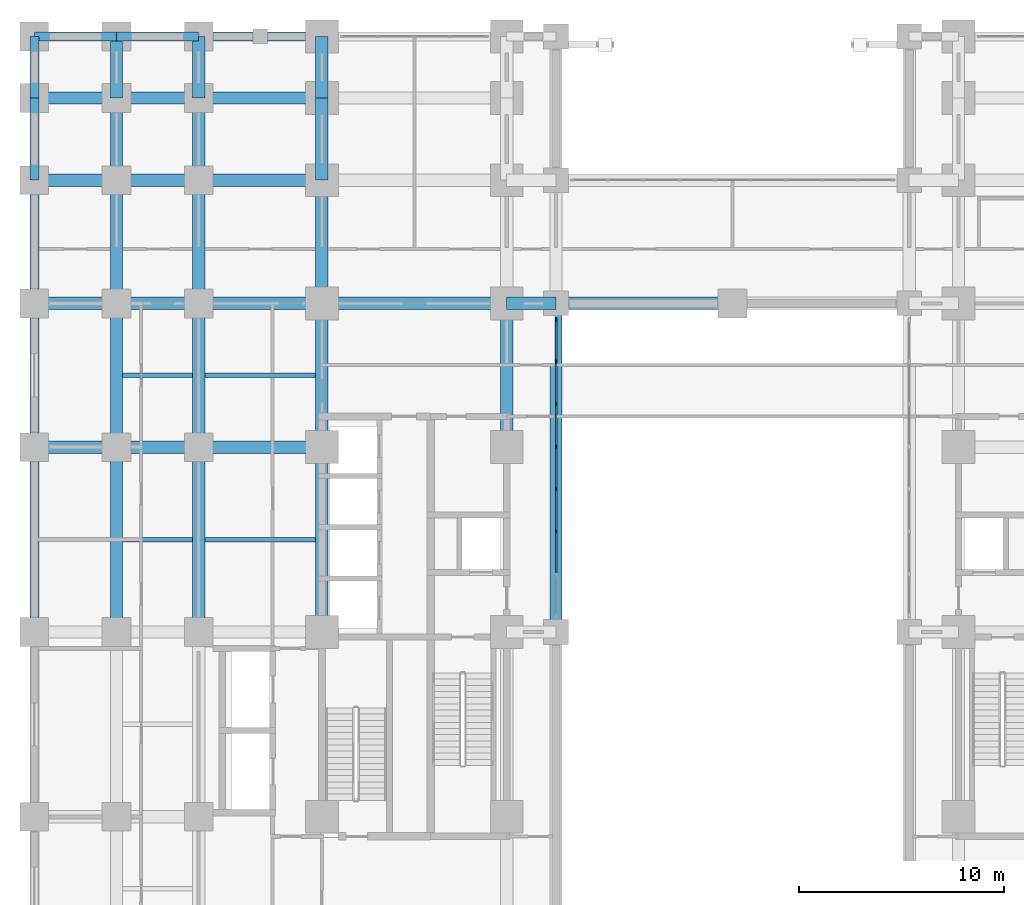
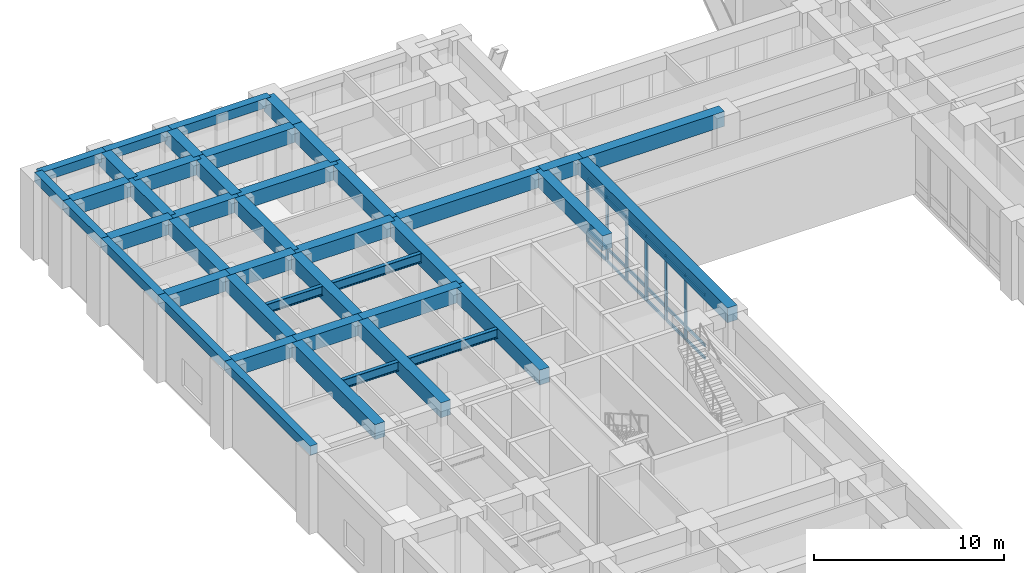
# One storey, part 4 of 23: 44 beams, 24 members, 1 element without a shape of its own.
"""IFC4 building model written with IfcOpenShell, lengths in metres."""

from ifc_helpers import new_model, si_unit, direction, frame, origin, origin_2d, place, context, subcontext, project, spatial, rectangle, i_section, extrude, material, material_profile, profile_set, type_object, element, aggregate, save


model = new_model("IFC4")

# Units and contexts
model_context = context("Model", 3, precision=1e-05, world=origin(), true_north=direction((0.0, 1.0)))
body_context = subcontext(model_context, "Body", "Model", "MODEL_VIEW")
ifc_project = project(units=[si_unit("LENGTHUNIT", "METRE"), si_unit("AREAUNIT", "SQUARE_METRE"), si_unit("VOLUMEUNIT", "CUBIC_METRE"), si_unit("PLANEANGLEUNIT", "RADIAN"), si_unit("MASSUNIT", "GRAM", prefix="KILO")], contexts=[model_context])

# Site, building, storey
site_placement = place(None, origin())
site = spatial("IfcSite", under=ifc_project, at=site_placement, CompositionType="ELEMENT")
building_placement = place(site_placement, origin())
building = spatial("IfcBuilding", under=site, at=building_placement, Name="Zulmaris Gate Convention Tower", CompositionType="ELEMENT")
storey_placement = place(building_placement, frame((0.0, 0.0, 10.8798828125)))
storey = spatial("IfcBuildingStorey", under=building, at=storey_placement, Name="L02", CompositionType="ELEMENT", Elevation=10.8798828125)

# Beams
ifc_material_1 = material(Name="Concrete C60/75", Category="concrete")
ifc_material_profile_1 = material_profile(ifc_material_1, rectangle(XDim=0.60009765625, YDim=0.949951171875, at=origin_2d()), Name="RC BEAM 600x950")
ifc_profile_set_1 = profile_set([ifc_material_profile_1], Name="Concrete C60/75")
beam_type_1 = type_object("IfcBeamType", Name="BM-RC600x950", PredefinedType="BEAM", material=ifc_profile_set_1)
for number, where, z_axis, x_axis, name in (
    (1, (-34.0, 9.0, 4.615234375), (1.0, 0.0, 0.0), (0.0, 1.0, 0.0), "L02 Beam BM-L02-X-+9.0--34.0"),
    (2, (-30.0, 9.0, 4.615234375), (1.0, 0.0, 0.0), (0.0, 1.0, 0.0), "L02 Beam BM-L02-X-+9.0--30.0"),
):
    element("IfcBeam", number, at=place(storey_placement, frame(where, z_axis=z_axis, x_axis=x_axis)), inside=storey, type_object=beam_type_1, Name=name, PredefinedType="BEAM", context=body_context, shape_type="SweptSolid", body=[
        extrude(rectangle(XDim=0.60009765625, YDim=0.949951171875, at=origin_2d()), origin(), (0.0, 0.0, 1.0), 4.0),
    ])
beam_1_placement = place(storey_placement, frame((-26.0, 9.0, 4.615234375), z_axis=(1.0, 0.0, 0.0), x_axis=(0.0, 1.0, 0.0)))
element("IfcBeam", 3, at=beam_1_placement, inside=storey, type_object=beam_type_1, Name="L02 Beam BM-L02-X-+9.0--26.0", PredefinedType="BEAM", context=body_context, shape_type="SweptSolid", body=[
    extrude(rectangle(XDim=0.60009765625, YDim=0.949951171875, at=origin_2d()), origin(), (0.0, 0.0, 1.0), 6.0),
])
for number, where, z_axis, x_axis, name in (
    (4, (-34.0, 16.0, 4.615234375), (1.0, 0.0, 0.0), (0.0, 1.0, 0.0), "L02 Beam BM-L02-X-+16.0--34.0"),
    (5, (-30.0, 16.0, 4.615234375), (1.0, 0.0, 0.0), (0.0, 1.0, 0.0), "L02 Beam BM-L02-X-+16.0--30.0"),
):
    element("IfcBeam", number, at=place(storey_placement, frame(where, z_axis=z_axis, x_axis=x_axis)), inside=storey, type_object=beam_type_1, Name=name, PredefinedType="BEAM", context=body_context, shape_type="SweptSolid", body=[
        extrude(rectangle(XDim=0.60009765625, YDim=0.949951171875, at=origin_2d()), origin(), (0.0, 0.0, 1.0), 4.0),
    ])
beam_2_placement = place(storey_placement, frame((-26.0, 16.0, 4.615234375), z_axis=(1.0, 0.0, 0.0), x_axis=(0.0, 1.0, 0.0)))
element("IfcBeam", 6, at=beam_2_placement, inside=storey, type_object=beam_type_1, Name="L02 Beam BM-L02-X-+16.0--26.0", PredefinedType="BEAM", context=body_context, shape_type="SweptSolid", body=[
    extrude(rectangle(XDim=0.60009765625, YDim=0.949951171875, at=origin_2d()), origin(), (0.0, 0.0, 1.0), 6.0),
])
beam_3_placement = place(storey_placement, frame((-20.0, 16.0, 4.615234375), z_axis=(1.0, 0.0, 0.0), x_axis=(0.0, 1.0, 0.0)))
element("IfcBeam", 7, at=beam_3_placement, inside=storey, type_object=beam_type_1, Name="L02 Beam BM-L02-X-+16.0--20.0", PredefinedType="BEAM", context=body_context, shape_type="SweptSolid", body=[
    extrude(rectangle(XDim=0.60009765625, YDim=0.949951171875, at=origin_2d()), origin(), (0.0, 0.0, 1.0), 9.0),
])
beam_4_placement = place(storey_placement, frame((-11.0, 16.0, 4.615234375), z_axis=(1.0, 0.0, 0.0), x_axis=(0.0, 1.0, 0.0)))
element("IfcBeam", 8, at=beam_4_placement, inside=storey, type_object=beam_type_1, Name="L02 Beam BM-L02-X-+16.0--11.0", PredefinedType="BEAM", context=body_context, shape_type="SweptSolid", body=[
    extrude(rectangle(XDim=0.60009765625, YDim=0.949951171875, at=origin_2d()), origin(), (0.0, 0.0, 1.0), 2.39990234375),
])
beam_5_placement = place(storey_placement, frame((-8.60009765625, 16.0, 4.615234375), z_axis=(1.0, 0.0, 0.0), x_axis=(0.0, 1.0, 0.0)))
element("IfcBeam", 9, at=beam_5_placement, inside=storey, type_object=beam_type_1, Name="L02 Beam BM-L02-X-+16.0--8.6", PredefinedType="BEAM", context=body_context, shape_type="SweptSolid", body=[
    extrude(rectangle(XDim=0.60009765625, YDim=0.949951171875, at=origin_2d()), origin(), (0.0, 0.0, 1.0), 8.60009765625),
])
for number, where, z_axis, x_axis, name in (
    (10, (-34.0, 22.0, 4.615234375), (1.0, 0.0, 0.0), (0.0, 1.0, 0.0), "L02 Beam BM-L02-X-+22.0--34.0"),
    (11, (-30.0, 22.0, 4.615234375), (1.0, 0.0, 0.0), (0.0, 1.0, 0.0), "L02 Beam BM-L02-X-+22.0--30.0"),
):
    element("IfcBeam", number, at=place(storey_placement, frame(where, z_axis=z_axis, x_axis=x_axis)), inside=storey, type_object=beam_type_1, Name=name, PredefinedType="BEAM", context=body_context, shape_type="SweptSolid", body=[
        extrude(rectangle(XDim=0.60009765625, YDim=0.949951171875, at=origin_2d()), origin(), (0.0, 0.0, 1.0), 4.0),
    ])
beam_6_placement = place(storey_placement, frame((-26.0, 22.0, 4.615234375), z_axis=(1.0, 0.0, 0.0), x_axis=(0.0, 1.0, 0.0)))
element("IfcBeam", 12, at=beam_6_placement, inside=storey, type_object=beam_type_1, Name="L02 Beam BM-L02-X-+22.0--26.0", PredefinedType="BEAM", context=body_context, shape_type="SweptSolid", body=[
    extrude(rectangle(XDim=0.60009765625, YDim=0.949951171875, at=origin_2d()), origin(), (0.0, 0.0, 1.0), 6.0),
])
for number, where, z_axis, x_axis, name in (
    (13, (-34.0, 26.0, 4.615234375), (1.0, 0.0, 0.0), (0.0, 1.0, 0.0), "L02 Beam BM-L02-X-+26.0--34.0"),
    (14, (-30.0, 26.0, 4.615234375), (1.0, 0.0, 0.0), (0.0, 1.0, 0.0), "L02 Beam BM-L02-X-+26.0--30.0"),
):
    element("IfcBeam", number, at=place(storey_placement, frame(where, z_axis=z_axis, x_axis=x_axis)), inside=storey, type_object=beam_type_1, Name=name, PredefinedType="BEAM", context=body_context, shape_type="SweptSolid", body=[
        extrude(rectangle(XDim=0.60009765625, YDim=0.949951171875, at=origin_2d()), origin(), (0.0, 0.0, 1.0), 4.0),
    ])
beam_7_placement = place(storey_placement, frame((-26.0, 26.0, 4.615234375), z_axis=(1.0, 0.0, 0.0), x_axis=(0.0, 1.0, 0.0)))
element("IfcBeam", 15, at=beam_7_placement, inside=storey, type_object=beam_type_1, Name="L02 Beam BM-L02-X-+26.0--26.0", PredefinedType="BEAM", context=body_context, shape_type="SweptSolid", body=[
    extrude(rectangle(XDim=0.60009765625, YDim=0.949951171875, at=origin_2d()), origin(), (0.0, 0.0, 1.0), 6.0),
])
beam_8_placement = place(storey_placement, frame((-30.0, 0.0, 4.615234375), z_axis=(0.0, 1.0, 0.0), x_axis=(-1.0, 0.0, 0.0)))
element("IfcBeam", 16, at=beam_8_placement, inside=storey, type_object=beam_type_1, Name="L02 Beam BM-L02-Y--30.0-+0.0", PredefinedType="BEAM", context=body_context, shape_type="SweptSolid", body=[
    extrude(rectangle(XDim=0.60009765625, YDim=0.949951171875, at=origin_2d()), origin(), (0.0, 0.0, 1.0), 9.0),
])
beam_9_placement = place(storey_placement, frame((-30.0, 9.0, 4.615234375), z_axis=(0.0, 1.0, 0.0), x_axis=(-1.0, 0.0, 0.0)))
element("IfcBeam", 17, at=beam_9_placement, inside=storey, type_object=beam_type_1, Name="L02 Beam BM-L02-Y--30.0-+9.0", PredefinedType="BEAM", context=body_context, shape_type="SweptSolid", body=[
    extrude(rectangle(XDim=0.60009765625, YDim=0.949951171875, at=origin_2d()), origin(), (0.0, 0.0, 1.0), 7.0),
])
beam_10_placement = place(storey_placement, frame((-30.0, 16.0, 4.615234375), z_axis=(0.0, 1.0, 0.0), x_axis=(-1.0, 0.0, 0.0)))
element("IfcBeam", 18, at=beam_10_placement, inside=storey, type_object=beam_type_1, Name="L02 Beam BM-L02-Y--30.0-+16.0", PredefinedType="BEAM", context=body_context, shape_type="SweptSolid", body=[
    extrude(rectangle(XDim=0.60009765625, YDim=0.949951171875, at=origin_2d()), origin(), (0.0, 0.0, 1.0), 6.0),
])
beam_11_placement = place(storey_placement, frame((-30.0, 22.0, 4.615234375), z_axis=(0.0, 1.0, 0.0), x_axis=(-1.0, 0.0, 0.0)))
element("IfcBeam", 19, at=beam_11_placement, inside=storey, type_object=beam_type_1, Name="L02 Beam BM-L02-Y--30.0-+22.0", PredefinedType="BEAM", context=body_context, shape_type="SweptSolid", body=[
    extrude(rectangle(XDim=0.60009765625, YDim=0.949951171875, at=origin_2d()), origin(), (0.0, 0.0, 1.0), 4.0),
])
beam_12_placement = place(storey_placement, frame((-30.0, 26.0, 4.615234375), z_axis=(0.0, 1.0, 0.0), x_axis=(-1.0, 0.0, 0.0)))
element("IfcBeam", 20, at=beam_12_placement, inside=storey, type_object=beam_type_1, Name="L02 Beam BM-L02-Y--30.0-+26.0", PredefinedType="BEAM", context=body_context, shape_type="SweptSolid", body=[
    extrude(rectangle(XDim=0.60009765625, YDim=0.949951171875, at=origin_2d()), origin(), (0.0, 0.0, 1.0), 3.0),
])
beam_13_placement = place(storey_placement, frame((-26.0, 0.0, 4.615234375), z_axis=(0.0, 1.0, 0.0), x_axis=(-1.0, 0.0, 0.0)))
element("IfcBeam", 21, at=beam_13_placement, inside=storey, type_object=beam_type_1, Name="L02 Beam BM-L02-Y--26.0-+0.0", PredefinedType="BEAM", context=body_context, shape_type="SweptSolid", body=[
    extrude(rectangle(XDim=0.60009765625, YDim=0.949951171875, at=origin_2d()), origin(), (0.0, 0.0, 1.0), 9.0),
])
beam_14_placement = place(storey_placement, frame((-26.0, 9.0, 4.615234375), z_axis=(0.0, 1.0, 0.0), x_axis=(-1.0, 0.0, 0.0)))
element("IfcBeam", 22, at=beam_14_placement, inside=storey, type_object=beam_type_1, Name="L02 Beam BM-L02-Y--26.0-+9.0", PredefinedType="BEAM", context=body_context, shape_type="SweptSolid", body=[
    extrude(rectangle(XDim=0.60009765625, YDim=0.949951171875, at=origin_2d()), origin(), (0.0, 0.0, 1.0), 7.0),
])
beam_15_placement = place(storey_placement, frame((-26.0, 16.0, 4.615234375), z_axis=(0.0, 1.0, 0.0), x_axis=(-1.0, 0.0, 0.0)))
element("IfcBeam", 23, at=beam_15_placement, inside=storey, type_object=beam_type_1, Name="L02 Beam BM-L02-Y--26.0-+16.0", PredefinedType="BEAM", context=body_context, shape_type="SweptSolid", body=[
    extrude(rectangle(XDim=0.60009765625, YDim=0.949951171875, at=origin_2d()), origin(), (0.0, 0.0, 1.0), 6.0),
])
beam_16_placement = place(storey_placement, frame((-26.0, 22.0, 4.615234375), z_axis=(0.0, 1.0, 0.0), x_axis=(-1.0, 0.0, 0.0)))
element("IfcBeam", 24, at=beam_16_placement, inside=storey, type_object=beam_type_1, Name="L02 Beam BM-L02-Y--26.0-+22.0", PredefinedType="BEAM", context=body_context, shape_type="SweptSolid", body=[
    extrude(rectangle(XDim=0.60009765625, YDim=0.949951171875, at=origin_2d()), origin(), (0.0, 0.0, 1.0), 4.0),
])
beam_17_placement = place(storey_placement, frame((-26.0, 26.0, 4.615234375), z_axis=(0.0, 1.0, 0.0), x_axis=(-1.0, 0.0, 0.0)))
element("IfcBeam", 25, at=beam_17_placement, inside=storey, type_object=beam_type_1, Name="L02 Beam BM-L02-Y--26.0-+26.0", PredefinedType="BEAM", context=body_context, shape_type="SweptSolid", body=[
    extrude(rectangle(XDim=0.60009765625, YDim=0.949951171875, at=origin_2d()), origin(), (0.0, 0.0, 1.0), 3.0),
])
beam_18_placement = place(storey_placement, frame((-20.0, 0.0, 4.615234375), z_axis=(0.0, 1.0, 0.0), x_axis=(-1.0, 0.0, 0.0)))
element("IfcBeam", 26, at=beam_18_placement, inside=storey, type_object=beam_type_1, Name="L02 Beam BM-L02-Y--20.0-+0.0", PredefinedType="BEAM", context=body_context, shape_type="SweptSolid", body=[
    extrude(rectangle(XDim=0.60009765625, YDim=0.949951171875, at=origin_2d()), origin(), (0.0, 0.0, 1.0), 9.0),
])
beam_19_placement = place(storey_placement, frame((-20.0, 9.0, 4.615234375), z_axis=(0.0, 1.0, 0.0), x_axis=(-1.0, 0.0, 0.0)))
element("IfcBeam", 27, at=beam_19_placement, inside=storey, type_object=beam_type_1, Name="L02 Beam BM-L02-Y--20.0-+9.0", PredefinedType="BEAM", context=body_context, shape_type="SweptSolid", body=[
    extrude(rectangle(XDim=0.60009765625, YDim=0.949951171875, at=origin_2d()), origin(), (0.0, 0.0, 1.0), 7.0),
])
beam_20_placement = place(storey_placement, frame((-20.0, 16.0, 4.615234375), z_axis=(0.0, 1.0, 0.0), x_axis=(-1.0, 0.0, 0.0)))
element("IfcBeam", 28, at=beam_20_placement, inside=storey, type_object=beam_type_1, Name="L02 Beam BM-L02-Y--20.0-+16.0", PredefinedType="BEAM", context=body_context, shape_type="SweptSolid", body=[
    extrude(rectangle(XDim=0.60009765625, YDim=0.949951171875, at=origin_2d()), origin(), (0.0, 0.0, 1.0), 6.0),
])
beam_21_placement = place(storey_placement, frame((-20.0, 22.0, 4.615234375), z_axis=(0.0, 1.0, 0.0), x_axis=(-1.0, 0.0, 0.0)))
element("IfcBeam", 29, at=beam_21_placement, inside=storey, type_object=beam_type_1, Name="L02 Beam BM-L02-Y--20.0-+22.0", PredefinedType="BEAM", context=body_context, shape_type="SweptSolid", body=[
    extrude(rectangle(XDim=0.60009765625, YDim=0.949951171875, at=origin_2d()), origin(), (0.0, 0.0, 1.0), 4.0),
])
beam_22_placement = place(storey_placement, frame((-20.0, 26.0, 4.615234375), z_axis=(0.0, 1.0, 0.0), x_axis=(-1.0, 0.0, 0.0)))
element("IfcBeam", 30, at=beam_22_placement, inside=storey, type_object=beam_type_1, Name="L02 Beam BM-L02-Y--20.0-+26.0", PredefinedType="BEAM", context=body_context, shape_type="SweptSolid", body=[
    extrude(rectangle(XDim=0.60009765625, YDim=0.949951171875, at=origin_2d()), origin(), (0.0, 0.0, 1.0), 3.0),
])
beam_23_placement = place(storey_placement, frame((-11.0, 9.0, 4.615234375), z_axis=(0.0, 1.0, 0.0), x_axis=(-1.0, 0.0, 0.0)))
element("IfcBeam", 31, at=beam_23_placement, inside=storey, type_object=beam_type_1, Name="L02 Beam BM-L02-Y--11.0-+9.0", PredefinedType="BEAM", context=body_context, shape_type="SweptSolid", body=[
    extrude(rectangle(XDim=0.60009765625, YDim=0.949951171875, at=origin_2d()), origin(), (0.0, 0.0, 1.0), 7.0),
])
beam_24_placement = place(storey_placement, frame((-8.60009765625, 0.0, 4.615234375), z_axis=(0.0, 1.0, 0.0), x_axis=(-1.0, 0.0, 0.0)))
element("IfcBeam", 32, at=beam_24_placement, inside=storey, type_object=beam_type_1, Name="L02 Beam BM-L02-Y--8.6-+0.0", PredefinedType="BEAM", context=body_context, shape_type="SweptSolid", body=[
    extrude(rectangle(XDim=0.60009765625, YDim=0.949951171875, at=origin_2d()), origin(), (0.0, 0.0, 1.0), 16.0),
])
ifc_material_2 = material(Name="Precast concrete C50/60", Category="concrete")
ifc_material_profile_2 = material_profile(ifc_material_2, rectangle(XDim=0.449951171875, YDim=0.60009765625, at=origin_2d()), Name="RC SPANDREL 450x600")
ifc_profile_set_2 = profile_set([ifc_material_profile_2], Name="Precast concrete C50/60")
beam_type_2 = type_object("IfcBeamType", Name="BM-SP450x600", PredefinedType="SPANDREL", material=ifc_profile_set_2)
for number, where, z_axis, x_axis, name in (
    (33, (-34.0, 29.0, 4.790283203125), (1.0, 0.0, 0.0), (0.0, 1.0, 0.0), "L02 Spandrel BM-L02-X-+29.0--34.0"),
    (34, (-30.0, 29.0, 4.790283203125), (1.0, 0.0, 0.0), (0.0, 1.0, 0.0), "L02 Spandrel BM-L02-X-+29.0--30.0"),
):
    element("IfcBeam", number, at=place(storey_placement, frame(where, z_axis=z_axis, x_axis=x_axis)), inside=storey, type_object=beam_type_2, Name=name, PredefinedType="SPANDREL", context=body_context, shape_type="SweptSolid", body=[
        extrude(rectangle(XDim=0.449951171875, YDim=0.60009765625, at=origin_2d()), origin(), (0.0, 0.0, 1.0), 4.0),
    ])
beam_25_placement = place(storey_placement, frame((-26.0, 29.0, 4.790283203125), z_axis=(1.0, 0.0, 0.0), x_axis=(0.0, 1.0, 0.0)))
element("IfcBeam", 35, at=beam_25_placement, inside=storey, type_object=beam_type_2, Name="L02 Spandrel BM-L02-X-+29.0--26.0", PredefinedType="SPANDREL", context=body_context, shape_type="SweptSolid", body=[
    extrude(rectangle(XDim=0.449951171875, YDim=0.60009765625, at=origin_2d()), origin(), (0.0, 0.0, 1.0), 6.0),
])
beam_26_placement = place(storey_placement, frame((-34.0, 0.0, 4.790283203125), z_axis=(0.0, 1.0, 0.0), x_axis=(-1.0, 0.0, 0.0)))
element("IfcBeam", 36, at=beam_26_placement, inside=storey, type_object=beam_type_2, Name="L02 Spandrel BM-L02-Y--34.0-+0.0", PredefinedType="SPANDREL", context=body_context, shape_type="SweptSolid", body=[
    extrude(rectangle(XDim=0.449951171875, YDim=0.60009765625, at=origin_2d()), origin(), (0.0, 0.0, 1.0), 9.0),
])
beam_27_placement = place(storey_placement, frame((-34.0, 9.0, 4.790283203125), z_axis=(0.0, 1.0, 0.0), x_axis=(-1.0, 0.0, 0.0)))
element("IfcBeam", 37, at=beam_27_placement, inside=storey, type_object=beam_type_2, Name="L02 Spandrel BM-L02-Y--34.0-+9.0", PredefinedType="SPANDREL", context=body_context, shape_type="SweptSolid", body=[
    extrude(rectangle(XDim=0.449951171875, YDim=0.60009765625, at=origin_2d()), origin(), (0.0, 0.0, 1.0), 7.0),
])
beam_28_placement = place(storey_placement, frame((-34.0, 16.0, 4.790283203125), z_axis=(0.0, 1.0, 0.0), x_axis=(-1.0, 0.0, 0.0)))
element("IfcBeam", 38, at=beam_28_placement, inside=storey, type_object=beam_type_2, Name="L02 Spandrel BM-L02-Y--34.0-+16.0", PredefinedType="SPANDREL", context=body_context, shape_type="SweptSolid", body=[
    extrude(rectangle(XDim=0.449951171875, YDim=0.60009765625, at=origin_2d()), origin(), (0.0, 0.0, 1.0), 6.0),
])
beam_29_placement = place(storey_placement, frame((-34.0, 22.0, 4.790283203125), z_axis=(0.0, 1.0, 0.0), x_axis=(-1.0, 0.0, 0.0)))
element("IfcBeam", 39, at=beam_29_placement, inside=storey, type_object=beam_type_2, Name="L02 Spandrel BM-L02-Y--34.0-+22.0", PredefinedType="SPANDREL", context=body_context, shape_type="SweptSolid", body=[
    extrude(rectangle(XDim=0.449951171875, YDim=0.60009765625, at=origin_2d()), origin(), (0.0, 0.0, 1.0), 4.0),
])
beam_30_placement = place(storey_placement, frame((-34.0, 26.0, 4.790283203125), z_axis=(0.0, 1.0, 0.0), x_axis=(-1.0, 0.0, 0.0)))
element("IfcBeam", 40, at=beam_30_placement, inside=storey, type_object=beam_type_2, Name="L02 Spandrel BM-L02-Y--34.0-+26.0", PredefinedType="SPANDREL", context=body_context, shape_type="SweptSolid", body=[
    extrude(rectangle(XDim=0.449951171875, YDim=0.60009765625, at=origin_2d()), origin(), (0.0, 0.0, 1.0), 3.0),
])

# Curtain wall, members
ifc_material_3 = material(Name="Anodised Aluminium", Category="aluminium")
curtain_wall_type = type_object("IfcCurtainWallType", Name="CW-02", PredefinedType="NOTDEFINED", material=ifc_material_3)
curtain_wall_placement = place(storey_placement, origin())
curtain_wall = element("IfcCurtainWall", 41, at=curtain_wall_placement, inside=storey, type_object=curtain_wall_type, Name="CW-02 CW02-L02-WL_0", PredefinedType="NOTDEFINED")
ifc_material_profile_3 = material_profile(ifc_material_3, rectangle(XDim=0.090087890625, YDim=0.219970703125, at=origin_2d()), Name="ALU MULLION 90x220")
ifc_profile_set_3 = profile_set([ifc_material_profile_3], Name="Anodised Aluminium")
member_type_1 = type_object("IfcMemberType", Name="CW-02-MULL", PredefinedType="MULLION", material=ifc_profile_set_3)
member_1_placement = place(storey_placement, frame((-8.60009765625, 4.897216796875, 0.0), z_axis=(0.0, 0.0, 1.0), x_axis=(-1.0, 0.0, 0.0)))
member_1 = element("IfcMember", 42, at=member_1_placement, type_object=member_type_1, Name="CW-02 mullion 3", PredefinedType="MULLION", context=body_context, shape_type="SweptSolid", body=[
    extrude(rectangle(XDim=0.090087890625, YDim=0.219970703125, at=origin_2d()), origin(), (0.0, 0.0, 1.0), 4.13232421875),
])
member_2_placement = place(storey_placement, frame((-8.60009765625, 6.9658203125, 0.0), z_axis=(0.0, 0.0, 1.0), x_axis=(-1.0, 0.0, 0.0)))
member_2 = element("IfcMember", 43, at=member_2_placement, type_object=member_type_1, Name="CW-02 mullion 4", PredefinedType="MULLION", context=body_context, shape_type="SweptSolid", body=[
    extrude(rectangle(XDim=0.090087890625, YDim=0.219970703125, at=origin_2d()), origin(), (0.0, 0.0, 1.0), 4.13232421875),
])
member_3_placement = place(storey_placement, frame((-8.60009765625, 9.0341796875, 0.0), z_axis=(0.0, 0.0, 1.0), x_axis=(-1.0, 0.0, 0.0)))
member_3 = element("IfcMember", 44, at=member_3_placement, type_object=member_type_1, Name="CW-02 mullion 5", PredefinedType="MULLION", context=body_context, shape_type="SweptSolid", body=[
    extrude(rectangle(XDim=0.090087890625, YDim=0.219970703125, at=origin_2d()), origin(), (0.0, 0.0, 1.0), 4.13232421875),
])
member_4_placement = place(storey_placement, frame((-8.60009765625, 11.102783203125, 0.0), z_axis=(0.0, 0.0, 1.0), x_axis=(-1.0, 0.0, 0.0)))
member_4 = element("IfcMember", 45, at=member_4_placement, type_object=member_type_1, Name="CW-02 mullion 6", PredefinedType="MULLION", context=body_context, shape_type="SweptSolid", body=[
    extrude(rectangle(XDim=0.090087890625, YDim=0.219970703125, at=origin_2d()), origin(), (0.0, 0.0, 1.0), 4.13232421875),
])
member_5_placement = place(storey_placement, frame((-8.60009765625, 13.17138671875, 0.0), z_axis=(0.0, 0.0, 1.0), x_axis=(-1.0, 0.0, 0.0)))
member_5 = element("IfcMember", 46, at=member_5_placement, type_object=member_type_1, Name="CW-02 mullion 7", PredefinedType="MULLION", context=body_context, shape_type="SweptSolid", body=[
    extrude(rectangle(XDim=0.090087890625, YDim=0.219970703125, at=origin_2d()), origin(), (0.0, 0.0, 1.0), 4.13232421875),
])
member_6_placement = place(storey_placement, frame((-8.60009765625, 15.195068359375, 0.0), z_axis=(0.0, 0.0, 1.0), x_axis=(-1.0, 0.0, 0.0)))
member_6 = element("IfcMember", 47, at=member_6_placement, type_object=member_type_1, Name="CW-02 mullion 8", PredefinedType="MULLION", context=body_context, shape_type="SweptSolid", body=[
    extrude(rectangle(XDim=0.090087890625, YDim=0.219970703125, at=origin_2d()), origin(), (0.0, 0.0, 1.0), 4.13232421875),
])
ifc_material_profile_4 = material_profile(ifc_material_3, rectangle(XDim=0.090087890625, YDim=0.179931640625, at=origin_2d()), Name="ALU TRANSOM 90x180")
ifc_profile_set_4 = profile_set([ifc_material_profile_4], Name="Anodised Aluminium")
member_type_2 = type_object("IfcMemberType", Name="CW-02-TRAN", PredefinedType="USERDEFINED", material=ifc_profile_set_4)
member_7_placement = place(storey_placement, frame((-8.60009765625, 2.87353515625, 0.044921875), z_axis=(0.0, 1.0, 0.0), x_axis=(-1.0, 0.0, 0.0)))
member_7 = element("IfcMember", 48, at=member_7_placement, type_object=member_type_2, Name="CW-02 transom 2.1", ObjectType="TRANSOM", PredefinedType="USERDEFINED", context=body_context, shape_type="SweptSolid", body=[
    extrude(rectangle(XDim=0.090087890625, YDim=0.179931640625, at=origin_2d()), origin(), (0.0, 0.0, 1.0), 1.978515625),
])
member_8_placement = place(storey_placement, frame((-8.60009765625, 2.87353515625, 0.85009765625), z_axis=(0.0, 1.0, 0.0), x_axis=(-1.0, 0.0, 0.0)))
member_8 = element("IfcMember", 49, at=member_8_placement, type_object=member_type_2, Name="CW-02 transom 2.2", ObjectType="TRANSOM", PredefinedType="USERDEFINED", context=body_context, shape_type="SweptSolid", body=[
    extrude(rectangle(XDim=0.090087890625, YDim=0.179931640625, at=origin_2d()), origin(), (0.0, 0.0, 1.0), 1.978515625),
])
member_9_placement = place(storey_placement, frame((-8.60009765625, 2.87353515625, 4.087158203125), z_axis=(0.0, 1.0, 0.0), x_axis=(-1.0, 0.0, 0.0)))
member_9 = element("IfcMember", 50, at=member_9_placement, type_object=member_type_2, Name="CW-02 transom 2.3", ObjectType="TRANSOM", PredefinedType="USERDEFINED", context=body_context, shape_type="SweptSolid", body=[
    extrude(rectangle(XDim=0.090087890625, YDim=0.179931640625, at=origin_2d()), origin(), (0.0, 0.0, 1.0), 1.978515625),
])
member_10_placement = place(storey_placement, frame((-8.60009765625, 4.942138671875, 0.044921875), z_axis=(0.0, 1.0, 0.0), x_axis=(-1.0, 0.0, 0.0)))
member_10 = element("IfcMember", 51, at=member_10_placement, type_object=member_type_2, Name="CW-02 transom 3.1", ObjectType="TRANSOM", PredefinedType="USERDEFINED", context=body_context, shape_type="SweptSolid", body=[
    extrude(rectangle(XDim=0.090087890625, YDim=0.179931640625, at=origin_2d()), origin(), (0.0, 0.0, 1.0), 1.978515625),
])
member_11_placement = place(storey_placement, frame((-8.60009765625, 4.942138671875, 0.85009765625), z_axis=(0.0, 1.0, 0.0), x_axis=(-1.0, 0.0, 0.0)))
member_11 = element("IfcMember", 52, at=member_11_placement, type_object=member_type_2, Name="CW-02 transom 3.2", ObjectType="TRANSOM", PredefinedType="USERDEFINED", context=body_context, shape_type="SweptSolid", body=[
    extrude(rectangle(XDim=0.090087890625, YDim=0.179931640625, at=origin_2d()), origin(), (0.0, 0.0, 1.0), 1.978515625),
])
member_12_placement = place(storey_placement, frame((-8.60009765625, 4.942138671875, 4.087158203125), z_axis=(0.0, 1.0, 0.0), x_axis=(-1.0, 0.0, 0.0)))
member_12 = element("IfcMember", 53, at=member_12_placement, type_object=member_type_2, Name="CW-02 transom 3.3", ObjectType="TRANSOM", PredefinedType="USERDEFINED", context=body_context, shape_type="SweptSolid", body=[
    extrude(rectangle(XDim=0.090087890625, YDim=0.179931640625, at=origin_2d()), origin(), (0.0, 0.0, 1.0), 1.978515625),
])
member_13_placement = place(storey_placement, frame((-8.60009765625, 7.0107421875, 0.044921875), z_axis=(0.0, 1.0, 0.0), x_axis=(-1.0, 0.0, 0.0)))
member_13 = element("IfcMember", 54, at=member_13_placement, type_object=member_type_2, Name="CW-02 transom 4.1", ObjectType="TRANSOM", PredefinedType="USERDEFINED", context=body_context, shape_type="SweptSolid", body=[
    extrude(rectangle(XDim=0.090087890625, YDim=0.179931640625, at=origin_2d()), origin(), (0.0, 0.0, 1.0), 1.978515625),
])
member_14_placement = place(storey_placement, frame((-8.60009765625, 7.0107421875, 0.85009765625), z_axis=(0.0, 1.0, 0.0), x_axis=(-1.0, 0.0, 0.0)))
member_14 = element("IfcMember", 55, at=member_14_placement, type_object=member_type_2, Name="CW-02 transom 4.2", ObjectType="TRANSOM", PredefinedType="USERDEFINED", context=body_context, shape_type="SweptSolid", body=[
    extrude(rectangle(XDim=0.090087890625, YDim=0.179931640625, at=origin_2d()), origin(), (0.0, 0.0, 1.0), 1.978515625),
])
member_15_placement = place(storey_placement, frame((-8.60009765625, 7.0107421875, 4.087158203125), z_axis=(0.0, 1.0, 0.0), x_axis=(-1.0, 0.0, 0.0)))
member_15 = element("IfcMember", 56, at=member_15_placement, type_object=member_type_2, Name="CW-02 transom 4.3", ObjectType="TRANSOM", PredefinedType="USERDEFINED", context=body_context, shape_type="SweptSolid", body=[
    extrude(rectangle(XDim=0.090087890625, YDim=0.179931640625, at=origin_2d()), origin(), (0.0, 0.0, 1.0), 1.978515625),
])
member_16_placement = place(storey_placement, frame((-8.60009765625, 9.079345703125, 0.044921875), z_axis=(0.0, 1.0, 0.0), x_axis=(-1.0, 0.0, 0.0)))
member_16 = element("IfcMember", 57, at=member_16_placement, type_object=member_type_2, Name="CW-02 transom 5.1", ObjectType="TRANSOM", PredefinedType="USERDEFINED", context=body_context, shape_type="SweptSolid", body=[
    extrude(rectangle(XDim=0.090087890625, YDim=0.179931640625, at=origin_2d()), origin(), (0.0, 0.0, 1.0), 1.978515625),
])
member_17_placement = place(storey_placement, frame((-8.60009765625, 9.079345703125, 0.85009765625), z_axis=(0.0, 1.0, 0.0), x_axis=(-1.0, 0.0, 0.0)))
member_17 = element("IfcMember", 58, at=member_17_placement, type_object=member_type_2, Name="CW-02 transom 5.2", ObjectType="TRANSOM", PredefinedType="USERDEFINED", context=body_context, shape_type="SweptSolid", body=[
    extrude(rectangle(XDim=0.090087890625, YDim=0.179931640625, at=origin_2d()), origin(), (0.0, 0.0, 1.0), 1.978515625),
])
member_18_placement = place(storey_placement, frame((-8.60009765625, 9.079345703125, 4.087158203125), z_axis=(0.0, 1.0, 0.0), x_axis=(-1.0, 0.0, 0.0)))
member_18 = element("IfcMember", 59, at=member_18_placement, type_object=member_type_2, Name="CW-02 transom 5.3", ObjectType="TRANSOM", PredefinedType="USERDEFINED", context=body_context, shape_type="SweptSolid", body=[
    extrude(rectangle(XDim=0.090087890625, YDim=0.179931640625, at=origin_2d()), origin(), (0.0, 0.0, 1.0), 1.978515625),
])
member_19_placement = place(storey_placement, frame((-8.60009765625, 11.14794921875, 0.044921875), z_axis=(0.0, 1.0, 0.0), x_axis=(-1.0, 0.0, 0.0)))
member_19 = element("IfcMember", 60, at=member_19_placement, type_object=member_type_2, Name="CW-02 transom 6.1", ObjectType="TRANSOM", PredefinedType="USERDEFINED", context=body_context, shape_type="SweptSolid", body=[
    extrude(rectangle(XDim=0.090087890625, YDim=0.179931640625, at=origin_2d()), origin(), (0.0, 0.0, 1.0), 1.978515625),
])
member_20_placement = place(storey_placement, frame((-8.60009765625, 11.14794921875, 0.85009765625), z_axis=(0.0, 1.0, 0.0), x_axis=(-1.0, 0.0, 0.0)))
member_20 = element("IfcMember", 61, at=member_20_placement, type_object=member_type_2, Name="CW-02 transom 6.2", ObjectType="TRANSOM", PredefinedType="USERDEFINED", context=body_context, shape_type="SweptSolid", body=[
    extrude(rectangle(XDim=0.090087890625, YDim=0.179931640625, at=origin_2d()), origin(), (0.0, 0.0, 1.0), 1.978515625),
])
member_21_placement = place(storey_placement, frame((-8.60009765625, 11.14794921875, 4.087158203125), z_axis=(0.0, 1.0, 0.0), x_axis=(-1.0, 0.0, 0.0)))
member_21 = element("IfcMember", 62, at=member_21_placement, type_object=member_type_2, Name="CW-02 transom 6.3", ObjectType="TRANSOM", PredefinedType="USERDEFINED", context=body_context, shape_type="SweptSolid", body=[
    extrude(rectangle(XDim=0.090087890625, YDim=0.179931640625, at=origin_2d()), origin(), (0.0, 0.0, 1.0), 1.978515625),
])
member_22_placement = place(storey_placement, frame((-8.60009765625, 13.21630859375, 0.044921875), z_axis=(0.0, 1.0, 0.0), x_axis=(-1.0, 0.0, 0.0)))
member_22 = element("IfcMember", 63, at=member_22_placement, type_object=member_type_2, Name="CW-02 transom 7.1", ObjectType="TRANSOM", PredefinedType="USERDEFINED", context=body_context, shape_type="SweptSolid", body=[
    extrude(rectangle(XDim=0.090087890625, YDim=0.179931640625, at=origin_2d()), origin(), (0.0, 0.0, 1.0), 1.93359375),
])
member_23_placement = place(storey_placement, frame((-8.60009765625, 13.21630859375, 0.85009765625), z_axis=(0.0, 1.0, 0.0), x_axis=(-1.0, 0.0, 0.0)))
member_23 = element("IfcMember", 64, at=member_23_placement, type_object=member_type_2, Name="CW-02 transom 7.2", ObjectType="TRANSOM", PredefinedType="USERDEFINED", context=body_context, shape_type="SweptSolid", body=[
    extrude(rectangle(XDim=0.090087890625, YDim=0.179931640625, at=origin_2d()), origin(), (0.0, 0.0, 1.0), 1.93359375),
])
member_24_placement = place(storey_placement, frame((-8.60009765625, 13.21630859375, 4.087158203125), z_axis=(0.0, 1.0, 0.0), x_axis=(-1.0, 0.0, 0.0)))
member_24 = element("IfcMember", 65, at=member_24_placement, type_object=member_type_2, Name="CW-02 transom 7.3", ObjectType="TRANSOM", PredefinedType="USERDEFINED", context=body_context, shape_type="SweptSolid", body=[
    extrude(rectangle(XDim=0.090087890625, YDim=0.179931640625, at=origin_2d()), origin(), (0.0, 0.0, 1.0), 1.93359375),
])
aggregate(curtain_wall, [member_1, member_2, member_3, member_4, member_5, member_6, member_7, member_8, member_9, member_10, member_11, member_12, member_13, member_14, member_15, member_16, member_17, member_18, member_19, member_20, member_21, member_22, member_23, member_24])

# Beams
ifc_material_4 = material(Name="Steel S355", Category="steel")
ifc_material_profile_5 = material_profile(ifc_material_4, i_section(OverallWidth=0.219970703125, OverallDepth=0.60009765625, WebThickness=0.011962890625, FlangeThickness=0.01904296875, FilletRadius=0.02392578125, at=origin_2d()), Name="IPE 600")
ifc_profile_set_5 = profile_set([ifc_material_profile_5], Name="Steel S355")
beam_type_3 = type_object("IfcBeamType", Name="JT-IPE600", PredefinedType="JOIST", material=ifc_profile_set_5)
for number, where, z_axis, x_axis, name in (
    (66, (-29.699951171875, 4.5, 4.788330078125), (1.0, 0.0, 0.0), (0.0, 1.0, 0.0), "L02 Joist JT-L02--30_-26-+4.5"),
    (67, (-29.699951171875, 12.5, 4.788330078125), (1.0, 0.0, 0.0), (0.0, 1.0, 0.0), "L02 Joist JT-L02--30_-26-+12.5"),
):
    element("IfcBeam", number, at=place(storey_placement, frame(where, z_axis=z_axis, x_axis=x_axis)), inside=storey, type_object=beam_type_3, Name=name, PredefinedType="JOIST", context=body_context, shape_type="SweptSolid", body=[
        extrude(i_section(OverallWidth=0.219970703125, OverallDepth=0.60009765625, WebThickness=0.011962890625, FlangeThickness=0.01904296875, FilletRadius=0.02392578125, at=origin_2d()), origin(), (0.0, 0.0, 1.0), 3.39990234375),
    ])
for number, where, z_axis, x_axis, name in (
    (68, (-25.699951171875, 4.5, 4.788330078125), (1.0, 0.0, 0.0), (0.0, 1.0, 0.0), "L02 Joist JT-L02--26_-20-+4.5"),
    (69, (-25.699951171875, 12.5, 4.788330078125), (1.0, 0.0, 0.0), (0.0, 1.0, 0.0), "L02 Joist JT-L02--26_-20-+12.5"),
):
    element("IfcBeam", number, at=place(storey_placement, frame(where, z_axis=z_axis, x_axis=x_axis)), inside=storey, type_object=beam_type_3, Name=name, PredefinedType="JOIST", context=body_context, shape_type="SweptSolid", body=[
        extrude(i_section(OverallWidth=0.219970703125, OverallDepth=0.60009765625, WebThickness=0.011962890625, FlangeThickness=0.01904296875, FilletRadius=0.02392578125, at=origin_2d()), origin(), (0.0, 0.0, 1.0), 5.39990234375),
    ])

save(model, "model.ifc")
